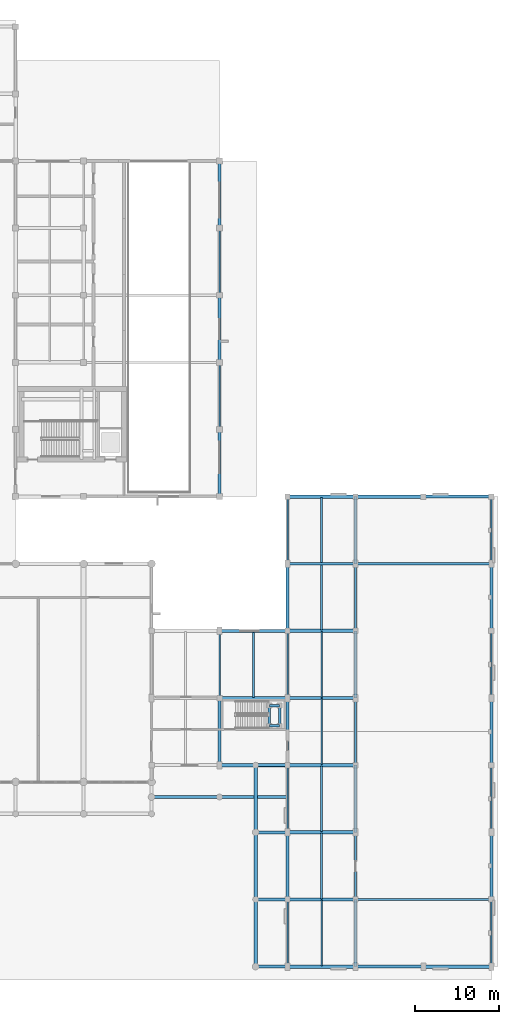
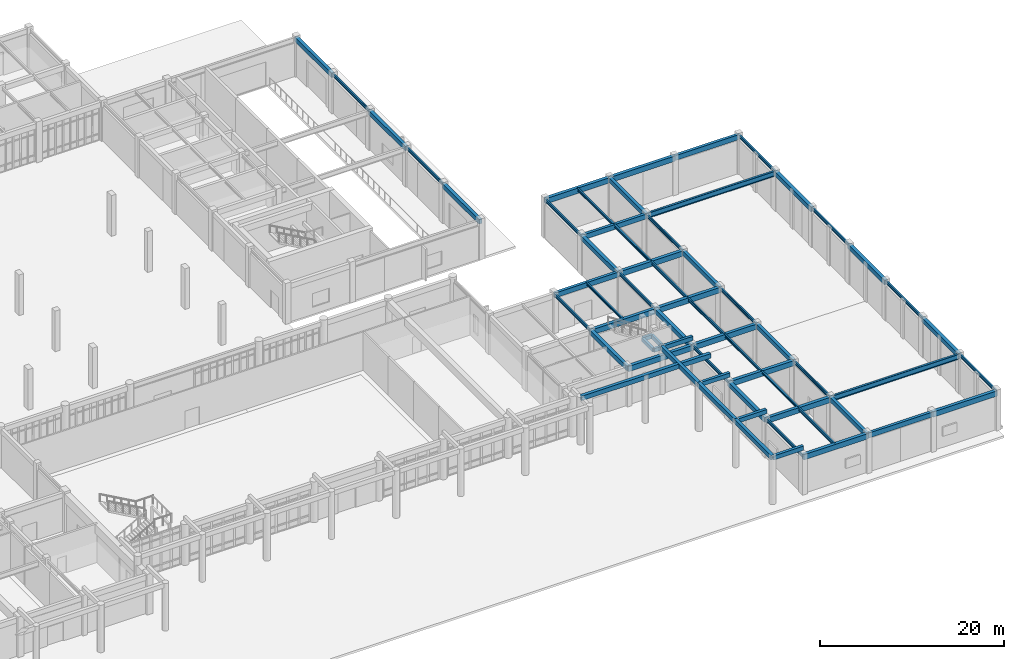
# One storey, part 19 of 62: 65 beams.
"""IFC4 building model written with IfcOpenShell, lengths in metres."""

from ifc_helpers import new_model, si_unit, direction, frame, origin, origin_2d, place, context, subcontext, project, spatial, rectangle, i_section, extrude, material, material_profile, profile_set, type_object, element, save


model = new_model("IFC4")

# Units and contexts
model_context = context("Model", 3, precision=1e-05, world=origin(), true_north=direction((0.0, 1.0)))
body_context = subcontext(model_context, "Body", "Model", "MODEL_VIEW")
ifc_project = project(units=[si_unit("LENGTHUNIT", "METRE"), si_unit("AREAUNIT", "SQUARE_METRE"), si_unit("VOLUMEUNIT", "CUBIC_METRE"), si_unit("PLANEANGLEUNIT", "RADIAN"), si_unit("MASSUNIT", "GRAM", prefix="KILO")], contexts=[model_context])

# Site, building, storey
site_placement = place(None, origin())
site = spatial("IfcSite", under=ifc_project, at=site_placement, CompositionType="ELEMENT")
building_placement = place(site_placement, origin())
building = spatial("IfcBuilding", under=site, at=building_placement, Name="Tarnveldt Square Police Headquarters", CompositionType="ELEMENT")
storey_placement = place(building_placement, origin())
storey = spatial("IfcBuildingStorey", under=building, at=storey_placement, Name="L00", CompositionType="ELEMENT", Elevation=0.0)

# Beams
ifc_material_1 = material(Name="Concrete 40 MPa", Category="concrete")
ifc_material_profile_1 = material_profile(ifc_material_1, rectangle(XDim=0.300048828125, YDim=0.5, at=origin_2d()), Name="RC-B300x500")
ifc_profile_set_1 = profile_set([ifc_material_profile_1], Name="Concrete 40 MPa")
beam_type_1 = type_object("IfcBeamType", Name="BM-RC300x500", PredefinedType="BEAM", material=ifc_profile_set_1)
for number, where, z_axis, x_axis, name in (
    (1, (135.550048828125, 28.679931640625, 2.27001953125), (0.0, 1.0, 0.0), (-1.0, 0.0, 0.0), "ST7 L00 Half-Landing West Support Beam"),
    (2, (136.75, 28.679931640625, 2.27001953125), (0.0, 1.0, 0.0), (-1.0, 0.0, 0.0), "ST7 L00 Half-Landing East Support Beam"),
):
    element("IfcBeam", number, at=place(storey_placement, frame(where, z_axis=z_axis, x_axis=x_axis)), inside=storey, type_object=beam_type_1, Name=name, PredefinedType="BEAM", context=body_context, shape_type="SweptSolid", body=[
        extrude(rectangle(XDim=0.300048828125, YDim=0.5, at=origin_2d()), origin(), (0.0, 0.0, 1.0), 2.420166015625),
    ])
for number, where, z_axis, x_axis, name in (
    (3, (135.550048828125, 28.679931640625, 2.27001953125), (1.0, 0.0, 0.0), (0.0, 1.0, 0.0), "ST7 L00 Half-Landing South Support Beam"),
    (4, (135.550048828125, 31.10009765625, 2.27001953125), (1.0, 0.0, 0.0), (0.0, 1.0, 0.0), "ST7 L00 Half-Landing North Support Beam"),
):
    element("IfcBeam", number, at=place(storey_placement, frame(where, z_axis=z_axis, x_axis=x_axis)), inside=storey, type_object=beam_type_1, Name=name, PredefinedType="BEAM", context=body_context, shape_type="SweptSolid", body=[
        extrude(rectangle(XDim=0.300048828125, YDim=0.5, at=origin_2d()), origin(), (0.0, 0.0, 1.0), 1.199951171875),
    ])
ifc_material_profile_2 = material_profile(ifc_material_1, rectangle(XDim=0.35009765625, YDim=0.550048828125, at=origin_2d()), Name="RC-B350x550")
ifc_profile_set_2 = profile_set([ifc_material_profile_2], Name="Concrete 40 MPa")
beam_type_2 = type_object("IfcBeamType", Name="BM-RC350x550", PredefinedType="BEAM", material=ifc_profile_set_2)
for number, where, z_axis, x_axis, name in (
    (5, (133.89990234375, 0.0, 6.0), (1.0, 0.0, 0.0), (0.0, 1.0, 0.0), "Colonnade Tie Beam E-0"),
    (6, (133.89990234375, 8.0, 6.0), (1.0, 0.0, 0.0), (0.0, 1.0, 0.0), "Colonnade Tie Beam E-1"),
    (7, (133.89990234375, 16.0, 6.0), (1.0, 0.0, 0.0), (0.0, 1.0, 0.0), "Colonnade Tie Beam E-2"),
    (8, (133.89990234375, 24.0, 6.0), (1.0, 0.0, 0.0), (0.0, 1.0, 0.0), "Colonnade Tie Beam E-3"),
):
    element("IfcBeam", number, at=place(storey_placement, frame(where, z_axis=z_axis, x_axis=x_axis)), inside=storey, type_object=beam_type_2, Name=name, PredefinedType="BEAM", context=body_context, shape_type="SweptSolid", body=[
        extrude(rectangle(XDim=0.35009765625, YDim=0.550048828125, at=origin_2d()), origin(), (0.0, 0.0, 1.0), 3.800048828125),
    ])
ifc_material_profile_3 = material_profile(ifc_material_1, rectangle(XDim=0.39990234375, YDim=0.60009765625, at=origin_2d()), Name="RC-B400x600")
ifc_profile_set_3 = profile_set([ifc_material_profile_3], Name="Concrete 40 MPa")
beam_type_3 = type_object("IfcBeamType", Name="BM-RC400x600", PredefinedType="BEAM", material=ifc_profile_set_3)
for number, where, z_axis, x_axis, name in (
    (9, (129.60009765625, 24.0, 4.820068359375), (0.0, 1.0, 0.0), (-1.0, 0.0, 0.0), "L01 Grid Girder Y-0427"),
    (10, (129.60009765625, 56.0, 4.820068359375), (0.0, 1.0, 0.0), (-1.0, 0.0, 0.0), "L01 Grid Girder Y-0429"),
    (11, (129.60009765625, 72.0, 4.820068359375), (0.0, 1.0, 0.0), (-1.0, 0.0, 0.0), "L01 Grid Girder Y-0431"),
    (12, (129.60009765625, 88.0, 4.820068359375), (0.0, 1.0, 0.0), (-1.0, 0.0, 0.0), "L01 Grid Girder Y-0433"),
    (13, (137.699951171875, 8.0, 4.820068359375), (0.0, 1.0, 0.0), (-1.0, 0.0, 0.0), "L01 Grid Girder Y-0435"),
    (14, (137.699951171875, 24.0, 4.820068359375), (0.0, 1.0, 0.0), (-1.0, 0.0, 0.0), "L01 Grid Girder Y-0437"),
    (15, (137.699951171875, 40.0, 4.820068359375), (0.0, 1.0, 0.0), (-1.0, 0.0, 0.0), "L01 Grid Girder Y-0439"),
    (16, (145.800048828125, 0.0, 4.820068359375), (0.0, 1.0, 0.0), (-1.0, 0.0, 0.0), "L01 Grid Girder Y-0441"),
    (17, (145.800048828125, 16.0, 4.820068359375), (0.0, 1.0, 0.0), (-1.0, 0.0, 0.0), "L01 Grid Girder Y-0443"),
    (18, (145.800048828125, 32.0, 4.820068359375), (0.0, 1.0, 0.0), (-1.0, 0.0, 0.0), "L01 Grid Girder Y-0445"),
    (19, (145.800048828125, 48.0, 4.820068359375), (0.0, 1.0, 0.0), (-1.0, 0.0, 0.0), "L01 Grid Girder Y-0447"),
    (20, (162.0, 8.0, 4.820068359375), (0.0, 1.0, 0.0), (-1.0, 0.0, 0.0), "L01 Grid Girder Y-0449"),
    (21, (162.0, 24.0, 4.820068359375), (0.0, 1.0, 0.0), (-1.0, 0.0, 0.0), "L01 Grid Girder Y-0451"),
    (22, (162.0, 40.0, 4.820068359375), (0.0, 1.0, 0.0), (-1.0, 0.0, 0.0), "L01 Grid Girder Y-0453"),
    (23, (133.89990234375, 0.0, 6.0), (0.0, 1.0, 0.0), (-1.0, 0.0, 0.0), "Colonnade Header Beam E-0"),
    (24, (133.89990234375, 8.0, 6.0), (0.0, 1.0, 0.0), (-1.0, 0.0, 0.0), "Colonnade Header Beam E-1"),
    (25, (133.89990234375, 16.0, 6.0), (0.0, 1.0, 0.0), (-1.0, 0.0, 0.0), "Colonnade Header Beam E-2"),
):
    element("IfcBeam", number, at=place(storey_placement, frame(where, z_axis=z_axis, x_axis=x_axis)), inside=storey, type_object=beam_type_3, Name=name, PredefinedType="BEAM", context=body_context, shape_type="SweptSolid", body=[
        extrude(rectangle(XDim=0.39990234375, YDim=0.60009765625, at=origin_2d()), origin(), (0.0, 0.0, 1.0), 8.0),
    ])
beam_1_placement = place(storey_placement, frame((121.5, 20.199951171875, 6.0), z_axis=(1.0, 0.0, 0.0), x_axis=(0.0, 1.0, 0.0)))
element("IfcBeam", 26, at=beam_1_placement, inside=storey, type_object=beam_type_3, Name="Colonnade Header Beam SE", PredefinedType="BEAM", context=body_context, shape_type="SweptSolid", body=[
    extrude(rectangle(XDim=0.39990234375, YDim=0.60009765625, at=origin_2d()), origin(), (0.0, 0.0, 1.0), 16.199951171875),
])
ifc_material_profile_4 = material_profile(ifc_material_1, rectangle(XDim=0.39990234375, YDim=0.699951171875, at=origin_2d()), Name="RC-B400x700")
ifc_profile_set_4 = profile_set([ifc_material_profile_4], Name="Concrete 40 MPa")
beam_type_4 = type_object("IfcBeamType", Name="BM-RC400x700", PredefinedType="BEAM", material=ifc_profile_set_4)
for number, where, z_axis, x_axis, name in (
    (27, (137.699951171875, 0.0, 4.77001953125), (1.0, 0.0, 0.0), (0.0, 1.0, 0.0), "L01 Grid Girder X-0222"),
    (28, (153.89990234375, 0.0, 4.77001953125), (1.0, 0.0, 0.0), (0.0, 1.0, 0.0), "L01 Grid Girder X-0224"),
    (29, (137.699951171875, 8.0, 4.77001953125), (1.0, 0.0, 0.0), (0.0, 1.0, 0.0), "L01 Grid Girder X-0227"),
    (30, (137.699951171875, 16.0, 4.77001953125), (1.0, 0.0, 0.0), (0.0, 1.0, 0.0), "L01 Grid Girder X-0237"),
):
    element("IfcBeam", number, at=place(storey_placement, frame(where, z_axis=z_axis, x_axis=x_axis)), inside=storey, type_object=beam_type_4, Name=name, PredefinedType="BEAM", context=body_context, shape_type="SweptSolid", body=[
        extrude(rectangle(XDim=0.39990234375, YDim=0.699951171875, at=origin_2d()), origin(), (0.0, 0.0, 1.0), 8.10009765625),
    ])
beam_2_placement = place(storey_placement, frame((129.60009765625, 24.0, 4.77001953125), z_axis=(1.0, 0.0, 0.0), x_axis=(0.0, 1.0, 0.0)))
element("IfcBeam", 31, at=beam_2_placement, inside=storey, type_object=beam_type_4, Name="L01 Grid Girder X-0248", PredefinedType="BEAM", context=body_context, shape_type="SweptSolid", body=[
    extrude(rectangle(XDim=0.39990234375, YDim=0.699951171875, at=origin_2d()), origin(), (0.0, 0.0, 1.0), 8.099853515625),
])
beam_3_placement = place(storey_placement, frame((137.699951171875, 24.0, 4.77001953125), z_axis=(1.0, 0.0, 0.0), x_axis=(0.0, 1.0, 0.0)))
element("IfcBeam", 32, at=beam_3_placement, inside=storey, type_object=beam_type_4, Name="L01 Grid Girder X-0249", PredefinedType="BEAM", context=body_context, shape_type="SweptSolid", body=[
    extrude(rectangle(XDim=0.39990234375, YDim=0.699951171875, at=origin_2d()), origin(), (0.0, 0.0, 1.0), 8.10009765625),
])
beam_4_placement = place(storey_placement, frame((129.60009765625, 32.0, 4.77001953125), z_axis=(1.0, 0.0, 0.0), x_axis=(0.0, 1.0, 0.0)))
element("IfcBeam", 33, at=beam_4_placement, inside=storey, type_object=beam_type_4, Name="L01 Grid Girder X-0254", PredefinedType="BEAM", context=body_context, shape_type="SweptSolid", body=[
    extrude(rectangle(XDim=0.39990234375, YDim=0.699951171875, at=origin_2d()), origin(), (0.0, 0.0, 1.0), 8.099853515625),
])
for number, where, z_axis, x_axis, name in (
    (34, (137.699951171875, 32.0, 4.77001953125), (1.0, 0.0, 0.0), (0.0, 1.0, 0.0), "L01 Grid Girder X-0255"),
    (35, (137.699951171875, 40.0, 4.77001953125), (1.0, 0.0, 0.0), (0.0, 1.0, 0.0), "L01 Grid Girder X-0269"),
    (36, (137.699951171875, 56.0, 4.77001953125), (1.0, 0.0, 0.0), (0.0, 1.0, 0.0), "L01 Grid Girder X-0287"),
):
    element("IfcBeam", number, at=place(storey_placement, frame(where, z_axis=z_axis, x_axis=x_axis)), inside=storey, type_object=beam_type_4, Name=name, PredefinedType="BEAM", context=body_context, shape_type="SweptSolid", body=[
        extrude(rectangle(XDim=0.39990234375, YDim=0.699951171875, at=origin_2d()), origin(), (0.0, 0.0, 1.0), 8.10009765625),
    ])
beam_5_placement = place(storey_placement, frame((145.800048828125, 56.0, 4.77001953125), z_axis=(1.0, 0.0, 0.0), x_axis=(0.0, 1.0, 0.0)))
element("IfcBeam", 37, at=beam_5_placement, inside=storey, type_object=beam_type_4, Name="L01 Grid Girder X-0288", PredefinedType="BEAM", context=body_context, shape_type="SweptSolid", body=[
    extrude(rectangle(XDim=0.39990234375, YDim=0.699951171875, at=origin_2d()), origin(), (0.0, 0.0, 1.0), 8.099853515625),
])
ifc_material_profile_5 = material_profile(ifc_material_1, rectangle(XDim=0.35009765625, YDim=0.64990234375, at=origin_2d()), Name="RC-SP350x650")
ifc_profile_set_5 = profile_set([ifc_material_profile_5], Name="Concrete 40 MPa")
beam_type_5 = type_object("IfcBeamType", Name="BM-SP350x650", PredefinedType="SPANDREL", material=ifc_profile_set_5)
for number, where, z_axis, x_axis, name in (
    (38, (145.800048828125, 0.0, 4.794921875), (1.0, 0.0, 0.0), (0.0, 1.0, 0.0), "L01 Grid Girder X-0223"),
    (39, (129.60009765625, 40.0, 4.794921875), (1.0, 0.0, 0.0), (0.0, 1.0, 0.0), "L01 Grid Girder X-0268"),
):
    element("IfcBeam", number, at=place(storey_placement, frame(where, z_axis=z_axis, x_axis=x_axis)), inside=storey, type_object=beam_type_5, Name=name, PredefinedType="SPANDREL", context=body_context, shape_type="SweptSolid", body=[
        extrude(rectangle(XDim=0.35009765625, YDim=0.64990234375, at=origin_2d()), origin(), (0.0, 0.0, 1.0), 8.099853515625),
    ])
for number, where, z_axis, x_axis, name in (
    (40, (137.699951171875, 48.0, 4.794921875), (1.0, 0.0, 0.0), (0.0, 1.0, 0.0), "L01 Grid Girder X-0280"),
    (41, (153.89990234375, 56.0, 4.794921875), (1.0, 0.0, 0.0), (0.0, 1.0, 0.0), "L01 Grid Girder X-0289"),
):
    element("IfcBeam", number, at=place(storey_placement, frame(where, z_axis=z_axis, x_axis=x_axis)), inside=storey, type_object=beam_type_5, Name=name, PredefinedType="SPANDREL", context=body_context, shape_type="SweptSolid", body=[
        extrude(rectangle(XDim=0.35009765625, YDim=0.64990234375, at=origin_2d()), origin(), (0.0, 0.0, 1.0), 8.10009765625),
    ])
ifc_material_2 = material(Name="Steel 350W", Category="steel")
ifc_material_profile_6 = material_profile(ifc_material_2, i_section(OverallWidth=0.202880859375, OverallDepth=0.302978515625, WebThickness=0.007568359375, FlangeThickness=0.01318359375, FilletRadius=0.014892578125, at=origin_2d()), Name="W310x60")
ifc_profile_set_6 = profile_set([ifc_material_profile_6], Name="Steel 350W")
beam_type_6 = type_object("IfcBeamType", Name="BM-W310x60", PredefinedType="JOIST", material=ifc_profile_set_6)
for number, where, z_axis, x_axis, name in (
    (42, (141.75, 8.080078125, 4.968505859375), (0.0, 1.0, 0.0), (-1.0, 0.0, 0.0), "L01 Secondary Floor Joist 0052"),
    (43, (133.64990234375, 32.080078125, 4.968505859375), (0.0, 1.0, 0.0), (-1.0, 0.0, 0.0), "L01 Secondary Floor Joist 0060"),
):
    element("IfcBeam", number, at=place(storey_placement, frame(where, z_axis=z_axis, x_axis=x_axis)), inside=storey, type_object=beam_type_6, Name=name, PredefinedType="JOIST", context=body_context, shape_type="SweptSolid", body=[
        extrude(i_section(OverallWidth=0.202880859375, OverallDepth=0.302978515625, WebThickness=0.007568359375, FlangeThickness=0.01318359375, FilletRadius=0.014892578125, at=origin_2d()), origin(), (0.0, 0.0, 1.0), 7.83984375),
    ])
ifc_material_profile_7 = material_profile(ifc_material_2, i_section(OverallWidth=0.205078125, OverallDepth=0.35400390625, WebThickness=0.009521484375, FlangeThickness=0.016845703125, FilletRadius=0.01611328125, at=origin_2d()), Name="W360x79")
ifc_profile_set_7 = profile_set([ifc_material_profile_7], Name="Steel 350W")
beam_type_7 = type_object("IfcBeamType", Name="BM-W360x79", PredefinedType="JOIST", material=ifc_profile_set_7)
for number, where, z_axis, x_axis, name in (
    (44, (141.75, 16.080078125, 4.943115234375), (0.0, 1.0, 0.0), (-1.0, 0.0, 0.0), "L01 Secondary Floor Joist 0054"),
    (45, (141.75, 40.080078125, 4.943115234375), (0.0, 1.0, 0.0), (-1.0, 0.0, 0.0), "L01 Secondary Floor Joist 0066"),
    (46, (141.75, 48.080078125, 4.943115234375), (0.0, 1.0, 0.0), (-1.0, 0.0, 0.0), "L01 Secondary Floor Joist 0070"),
):
    element("IfcBeam", number, at=place(storey_placement, frame(where, z_axis=z_axis, x_axis=x_axis)), inside=storey, type_object=beam_type_7, Name=name, PredefinedType="JOIST", context=body_context, shape_type="SweptSolid", body=[
        extrude(i_section(OverallWidth=0.205078125, OverallDepth=0.35400390625, WebThickness=0.009521484375, FlangeThickness=0.016845703125, FilletRadius=0.01611328125, at=origin_2d()), origin(), (0.0, 0.0, 1.0), 7.83984375),
    ])
ifc_material_profile_8 = material_profile(ifc_material_2, i_section(OverallWidth=0.177978515625, OverallDepth=0.406982421875, WebThickness=0.0078125, FlangeThickness=0.0126953125, FilletRadius=0.01611328125, at=origin_2d()), Name="W410x60")
ifc_profile_set_8 = profile_set([ifc_material_profile_8], Name="Steel 350W")
beam_type_8 = type_object("IfcBeamType", Name="BM-W410x60", PredefinedType="JOIST", material=ifc_profile_set_8)
for number, where, z_axis, x_axis, name in (
    (47, (141.75, 0.080078125, 4.91650390625), (0.0, 1.0, 0.0), (-1.0, 0.0, 0.0), "L01 Secondary Floor Joist 0049"),
    (48, (141.75, 24.080078125, 4.91650390625), (0.0, 1.0, 0.0), (-1.0, 0.0, 0.0), "L01 Secondary Floor Joist 0057"),
    (49, (141.75, 32.080078125, 4.91650390625), (0.0, 1.0, 0.0), (-1.0, 0.0, 0.0), "L01 Secondary Floor Joist 0061"),
):
    element("IfcBeam", number, at=place(storey_placement, frame(where, z_axis=z_axis, x_axis=x_axis)), inside=storey, type_object=beam_type_8, Name=name, PredefinedType="JOIST", context=body_context, shape_type="SweptSolid", body=[
        extrude(i_section(OverallWidth=0.177978515625, OverallDepth=0.406982421875, WebThickness=0.0078125, FlangeThickness=0.0126953125, FilletRadius=0.01611328125, at=origin_2d()), origin(), (0.0, 0.0, 1.0), 7.83984375),
    ])
ifc_material_profile_9 = material_profile(ifc_material_2, i_section(OverallWidth=0.180908203125, OverallDepth=0.4169921875, WebThickness=0.010986328125, FlangeThickness=0.018310546875, FilletRadius=0.01611328125, at=origin_2d()), Name="W410x85")
ifc_profile_set_9 = profile_set([ifc_material_profile_9], Name="Steel 350W")
beam_type_9 = type_object("IfcBeamType", Name="BM-W410x85", PredefinedType="BEAM", material=ifc_profile_set_9)
for number, where, z_axis, x_axis, name in (
    (50, (129.60009765625, 32.0, 4.91162109375), (0.0, 1.0, 0.0), (-1.0, 0.0, 0.0), "L01 Grid Girder Y-0428"),
    (51, (129.60009765625, 64.0, 4.91162109375), (0.0, 1.0, 0.0), (-1.0, 0.0, 0.0), "L01 Grid Girder Y-0430"),
    (52, (129.60009765625, 80.0, 4.91162109375), (0.0, 1.0, 0.0), (-1.0, 0.0, 0.0), "L01 Grid Girder Y-0432"),
    (53, (137.699951171875, 0.0, 4.91162109375), (0.0, 1.0, 0.0), (-1.0, 0.0, 0.0), "L01 Grid Girder Y-0434"),
    (54, (137.699951171875, 16.0, 4.91162109375), (0.0, 1.0, 0.0), (-1.0, 0.0, 0.0), "L01 Grid Girder Y-0436"),
    (55, (137.699951171875, 32.0, 4.91162109375), (0.0, 1.0, 0.0), (-1.0, 0.0, 0.0), "L01 Grid Girder Y-0438"),
    (56, (137.699951171875, 48.0, 4.91162109375), (0.0, 1.0, 0.0), (-1.0, 0.0, 0.0), "L01 Grid Girder Y-0440"),
    (57, (145.800048828125, 8.0, 4.91162109375), (0.0, 1.0, 0.0), (-1.0, 0.0, 0.0), "L01 Grid Girder Y-0442"),
    (58, (145.800048828125, 24.0, 4.91162109375), (0.0, 1.0, 0.0), (-1.0, 0.0, 0.0), "L01 Grid Girder Y-0444"),
    (59, (145.800048828125, 40.0, 4.91162109375), (0.0, 1.0, 0.0), (-1.0, 0.0, 0.0), "L01 Grid Girder Y-0446"),
    (60, (162.0, 0.0, 4.91162109375), (0.0, 1.0, 0.0), (-1.0, 0.0, 0.0), "L01 Grid Girder Y-0448"),
    (61, (162.0, 16.0, 4.91162109375), (0.0, 1.0, 0.0), (-1.0, 0.0, 0.0), "L01 Grid Girder Y-0450"),
    (62, (162.0, 32.0, 4.91162109375), (0.0, 1.0, 0.0), (-1.0, 0.0, 0.0), "L01 Grid Girder Y-0452"),
    (63, (162.0, 48.0, 4.91162109375), (0.0, 1.0, 0.0), (-1.0, 0.0, 0.0), "L01 Grid Girder Y-0454"),
):
    element("IfcBeam", number, at=place(storey_placement, frame(where, z_axis=z_axis, x_axis=x_axis)), inside=storey, type_object=beam_type_9, Name=name, PredefinedType="BEAM", context=body_context, shape_type="SweptSolid", body=[
        extrude(i_section(OverallWidth=0.180908203125, OverallDepth=0.4169921875, WebThickness=0.010986328125, FlangeThickness=0.018310546875, FilletRadius=0.01611328125, at=origin_2d()), origin(), (0.0, 0.0, 1.0), 8.0),
    ])
ifc_material_profile_10 = material_profile(ifc_material_2, i_section(OverallWidth=0.25390625, OverallDepth=0.68798828125, WebThickness=0.01318359375, FlangeThickness=0.02099609375, FilletRadius=0.02001953125, at=origin_2d()), Name="W690x152")
ifc_profile_set_10 = profile_set([ifc_material_profile_10], Name="Steel 350W")
beam_type_10 = type_object("IfcBeamType", Name="BM-W690x152", PredefinedType="BEAM", material=ifc_profile_set_10)
for number, where, z_axis, x_axis, name in (
    (64, (145.800048828125, 8.0, 4.77587890625), (1.0, 0.0, 0.0), (0.0, 1.0, 0.0), "L01 Grid Girder X-0228"),
    (65, (145.800048828125, 48.0, 4.77587890625), (1.0, 0.0, 0.0), (0.0, 1.0, 0.0), "L01 Grid Girder X-0281"),
):
    element("IfcBeam", number, at=place(storey_placement, frame(where, z_axis=z_axis, x_axis=x_axis)), inside=storey, type_object=beam_type_10, Name=name, PredefinedType="BEAM", context=body_context, shape_type="SweptSolid", body=[
        extrude(i_section(OverallWidth=0.25390625, OverallDepth=0.68798828125, WebThickness=0.01318359375, FlangeThickness=0.02099609375, FilletRadius=0.02001953125, at=origin_2d()), origin(), (0.0, 0.0, 1.0), 16.199951171875),
    ])

save(model, "model.ifc")
